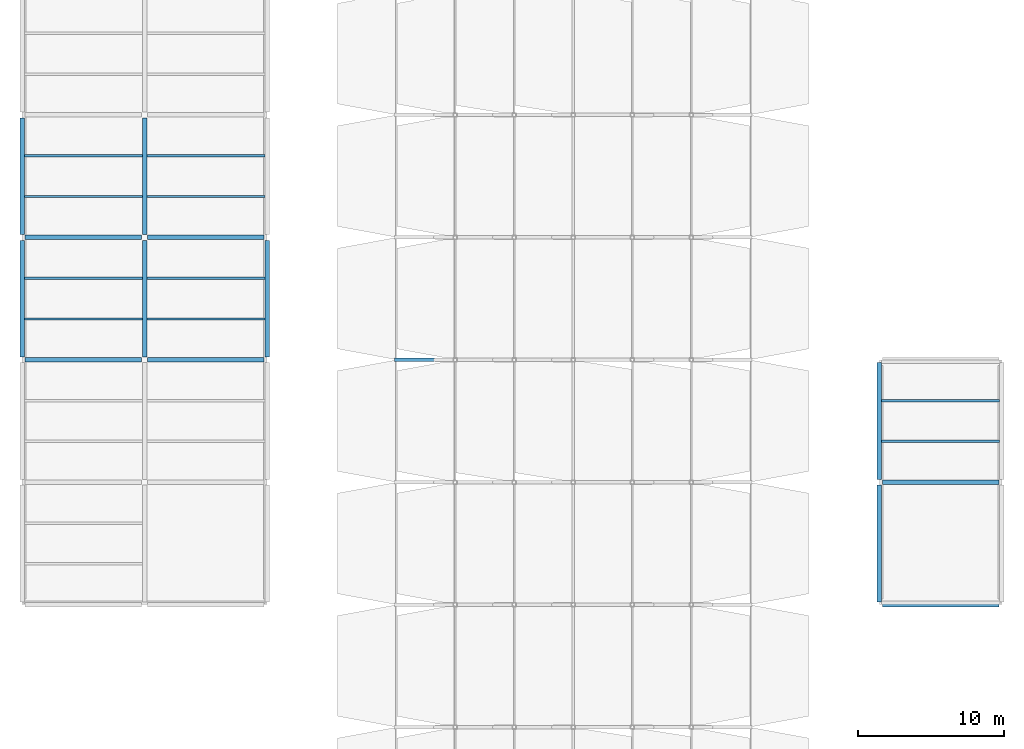
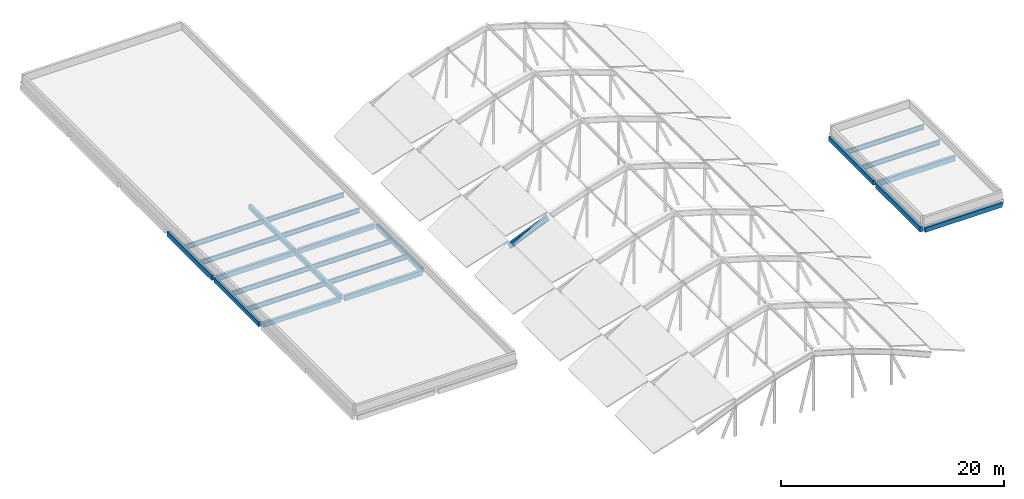
# One storey, part 5 of 22: 24 beams.
"""IFC4 building model written with IfcOpenShell, lengths in metres."""

from ifc_helpers import new_model, si_unit, direction, frame, origin, origin_2d, place, context, subcontext, project, spatial, rectangle, i_section, extrude, material, material_profile, profile_set, type_object, element, save


model = new_model("IFC4")

# Units and contexts
model_context = context("Model", 3, precision=1e-05, world=origin(), true_north=direction((0.0, 1.0)))
body_context = subcontext(model_context, "Body", "Model", "MODEL_VIEW")
ifc_project = project(units=[si_unit("LENGTHUNIT", "METRE"), si_unit("AREAUNIT", "SQUARE_METRE"), si_unit("VOLUMEUNIT", "CUBIC_METRE"), si_unit("PLANEANGLEUNIT", "RADIAN"), si_unit("MASSUNIT", "GRAM", prefix="KILO")], contexts=[model_context])

# Site, building, storey
site_placement = place(None, origin())
site = spatial("IfcSite", under=ifc_project, at=site_placement, CompositionType="ELEMENT")
building_placement = place(site_placement, origin())
building = spatial("IfcBuilding", under=site, at=building_placement, Name="Vireocrest Preparatory School", CompositionType="ELEMENT")
storey_placement = place(building_placement, frame((0.0, 0.0, 25.800048828125)))
storey = spatial("IfcBuildingStorey", under=building, at=storey_placement, Name="RF", CompositionType="ELEMENT", Elevation=25.800048828125)

# Beams
ifc_material_1 = material(Name="Structural steel ASTM A992 Grade 50", Category="steel")
ifc_material_profile_1 = material_profile(ifc_material_1, i_section(OverallWidth=0.22802734375, OverallDepth=0.60302734375, WebThickness=0.010498046875, FlangeThickness=0.014892578125, FilletRadius=0.01611328125, at=origin_2d()), Name="W24X68")
ifc_profile_set_1 = profile_set([ifc_material_profile_1], Name="Structural steel ASTM A992 Grade 50")
beam_type_1 = type_object("IfcBeamType", Name="Dining Pavilion Roof Girder W24X68", PredefinedType="BEAM", material=ifc_profile_set_1)
beam_placement = place(storey_placement, frame((67.64990234375, 60.60009765625, -0.8056640625), z_axis=(0.918795164694, 0.0, 0.394734651804), x_axis=(0.0, 1.0, 0.0)))
element("IfcBeam", 1, at=beam_placement, inside=storey, type_object=beam_type_1, Name="Canopy Rafter Chord SB4-5-2", PredefinedType="BEAM", context=body_context, shape_type="SweptSolid", body=[
    extrude(i_section(OverallWidth=0.22802734375, OverallDepth=0.60302734375, WebThickness=0.010498046875, FlangeThickness=0.014892578125, FilletRadius=0.01611328125, at=origin_2d()), origin(), (0.0, 0.0, 1.0), 4.407958984375),
])
ifc_material_profile_2 = material_profile(ifc_material_1, i_section(OverallWidth=0.166015625, OverallDepth=0.529052734375, WebThickness=0.009765625, FlangeThickness=0.013671875, FilletRadius=0.014892578125, at=origin_2d()), Name="W21X50")
ifc_profile_set_2 = profile_set([ifc_material_profile_2], Name="Structural steel ASTM A992 Grade 50")
beam_type_2 = type_object("IfcBeamType", Name="Pavilion Roof Joist W21X50", PredefinedType="JOIST", material=ifc_profile_set_2)
for number, where, z_axis, x_axis, name in (
    (2, (42.14990234375, 63.39990234375, -0.484619140625), (1.0, 0.0, 0.0), (0.0, 1.0, 0.0), "Secondary Joist SJ1 RF-1729"),
    (3, (42.14990234375, 66.199951171875, -0.484619140625), (1.0, 0.0, 0.0), (0.0, 1.0, 0.0), "Secondary Joist SJ1 RF-1730"),
    (4, (42.14990234375, 71.800048828125, -0.484619140625), (1.0, 0.0, 0.0), (0.0, 1.0, 0.0), "Secondary Joist SJ1 RF-1731"),
    (5, (42.14990234375, 74.60009765625, -0.484619140625), (1.0, 0.0, 0.0), (0.0, 1.0, 0.0), "Secondary Joist SJ1 RF-1732"),
):
    element("IfcBeam", number, at=place(storey_placement, frame(where, z_axis=z_axis, x_axis=x_axis)), inside=storey, type_object=beam_type_2, Name=name, PredefinedType="JOIST", context=body_context, shape_type="SweptSolid", body=[
        extrude(i_section(OverallWidth=0.166015625, OverallDepth=0.529052734375, WebThickness=0.009765625, FlangeThickness=0.013671875, FilletRadius=0.014892578125, at=origin_2d()), origin(), (0.0, 0.0, 1.0), 8.10009765625),
    ])
for number, where, z_axis, x_axis, name in (
    (6, (50.550048828125, 63.39990234375, -0.484619140625), (1.0, 0.0, 0.0), (0.0, 1.0, 0.0), "Secondary Joist SJ1 RF-1741"),
    (7, (50.550048828125, 66.199951171875, -0.484619140625), (1.0, 0.0, 0.0), (0.0, 1.0, 0.0), "Secondary Joist SJ1 RF-1742"),
    (8, (50.550048828125, 71.800048828125, -0.484619140625), (1.0, 0.0, 0.0), (0.0, 1.0, 0.0), "Secondary Joist SJ1 RF-1743"),
    (9, (50.550048828125, 74.60009765625, -0.484619140625), (1.0, 0.0, 0.0), (0.0, 1.0, 0.0), "Secondary Joist SJ1 RF-1744"),
):
    element("IfcBeam", number, at=place(storey_placement, frame(where, z_axis=z_axis, x_axis=x_axis)), inside=storey, type_object=beam_type_2, Name=name, PredefinedType="JOIST", context=body_context, shape_type="SweptSolid", body=[
        extrude(i_section(OverallWidth=0.166015625, OverallDepth=0.529052734375, WebThickness=0.009765625, FlangeThickness=0.013671875, FilletRadius=0.014892578125, at=origin_2d()), origin(), (0.0, 0.0, 1.0), 8.099853515625),
    ])
for number, where, z_axis, x_axis, name in (
    (10, (100.949951171875, 55.0, -0.484619140625), (1.0, 0.0, 0.0), (0.0, 1.0, 0.0), "Secondary Joist SJ1 RF-1749"),
    (11, (100.949951171875, 57.800048828125, -0.484619140625), (1.0, 0.0, 0.0), (0.0, 1.0, 0.0), "Secondary Joist SJ1 RF-1750"),
):
    element("IfcBeam", number, at=place(storey_placement, frame(where, z_axis=z_axis, x_axis=x_axis)), inside=storey, type_object=beam_type_2, Name=name, PredefinedType="JOIST", context=body_context, shape_type="SweptSolid", body=[
        extrude(i_section(OverallWidth=0.166015625, OverallDepth=0.529052734375, WebThickness=0.009765625, FlangeThickness=0.013671875, FilletRadius=0.014892578125, at=origin_2d()), origin(), (0.0, 0.0, 1.0), 8.10009765625),
    ])
ifc_material_2 = material(Name="Concrete 40 MPa", Category="concrete")
ifc_material_profile_3 = material_profile(ifc_material_2, rectangle(XDim=0.300048828125, YDim=0.5, at=origin_2d()), Name="RC 300x500")
ifc_profile_set_3 = profile_set([ifc_material_profile_3], Name="Concrete 40 MPa")
beam_type_3 = type_object("IfcBeamType", Name="RC Roof Edge Beam 300x500", PredefinedType="BEAM", material=ifc_profile_set_3)
for number, where, z_axis, x_axis, name in (
    (12, (101.0, 43.800048828125, -0.469970703125), (1.0, 0.0, 0.0), (0.0, 1.0, 0.0), "Primary Girder B01 RF-1683"),
    (13, (42.199951171875, 60.60009765625, -0.469970703125), (1.0, 0.0, 0.0), (0.0, 1.0, 0.0), "Primary Girder B01 RF-1687"),
    (14, (50.60009765625, 69.0, -0.469970703125), (1.0, 0.0, 0.0), (0.0, 1.0, 0.0), "Primary Girder B01 RF-1691"),
    (15, (42.0, 60.800048828125, -0.469970703125), (0.0, 1.0, 0.0), (-1.0, 0.0, 0.0), "Primary Girder B01 RF-1702"),
    (16, (50.39990234375, 69.199951171875, -0.469970703125), (0.0, 1.0, 0.0), (-1.0, 0.0, 0.0), "Primary Girder B01 RF-1710"),
    (17, (58.800048828125, 60.800048828125, -0.469970703125), (0.0, 1.0, 0.0), (-1.0, 0.0, 0.0), "Primary Girder B01 RF-1716"),
    (18, (100.800048828125, 52.39990234375, -0.469970703125), (0.0, 1.0, 0.0), (-1.0, 0.0, 0.0), "Primary Girder B01 RF-1722"),
):
    element("IfcBeam", number, at=place(storey_placement, frame(where, z_axis=z_axis, x_axis=x_axis)), inside=storey, type_object=beam_type_3, Name=name, PredefinedType="BEAM", context=body_context, shape_type="SweptSolid", body=[
        extrude(rectangle(XDim=0.300048828125, YDim=0.5, at=origin_2d()), origin(), (0.0, 0.0, 1.0), 8.0),
    ])
ifc_material_profile_4 = material_profile(ifc_material_2, rectangle(XDim=0.300048828125, YDim=0.550048828125, at=origin_2d()), Name="RC 300x550")
ifc_profile_set_4 = profile_set([ifc_material_profile_4], Name="Concrete 40 MPa")
beam_type_4 = type_object("IfcBeamType", Name="RC Roof Girder 300x550", PredefinedType="BEAM", material=ifc_profile_set_4)
for number, where, z_axis, x_axis, name in (
    (19, (101.0, 52.199951171875, -0.4951171875), (1.0, 0.0, 0.0), (0.0, 1.0, 0.0), "Primary Girder B02 RF-1686"),
    (20, (50.60009765625, 60.60009765625, -0.4951171875), (1.0, 0.0, 0.0), (0.0, 1.0, 0.0), "Primary Girder B02 RF-1688"),
    (21, (42.199951171875, 69.0, -0.4951171875), (1.0, 0.0, 0.0), (0.0, 1.0, 0.0), "Primary Girder B02 RF-1690"),
    (22, (42.0, 69.199951171875, -0.4951171875), (0.0, 1.0, 0.0), (-1.0, 0.0, 0.0), "Primary Girder B02 RF-1703"),
    (23, (50.39990234375, 60.800048828125, -0.4951171875), (0.0, 1.0, 0.0), (-1.0, 0.0, 0.0), "Primary Girder B02 RF-1709"),
    (24, (100.800048828125, 44.0, -0.4951171875), (0.0, 1.0, 0.0), (-1.0, 0.0, 0.0), "Primary Girder B02 RF-1721"),
):
    element("IfcBeam", number, at=place(storey_placement, frame(where, z_axis=z_axis, x_axis=x_axis)), inside=storey, type_object=beam_type_4, Name=name, PredefinedType="BEAM", context=body_context, shape_type="SweptSolid", body=[
        extrude(rectangle(XDim=0.300048828125, YDim=0.550048828125, at=origin_2d()), origin(), (0.0, 0.0, 1.0), 8.0),
    ])

save(model, "model.ifc")
